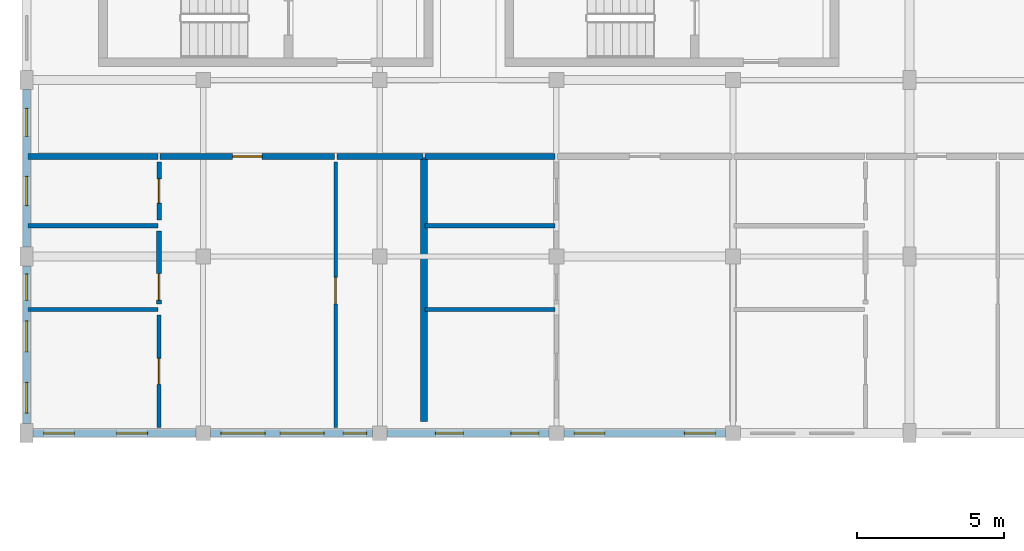
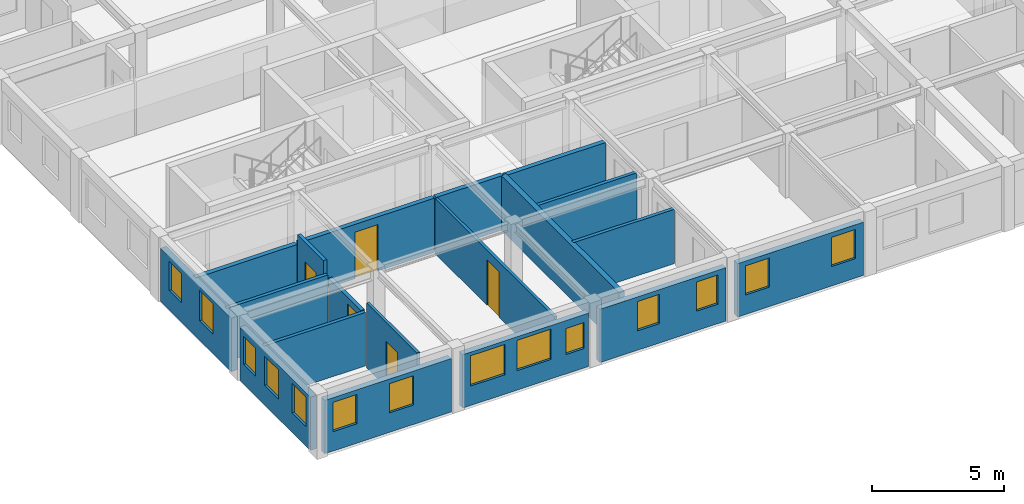
# One storey, part 3 of 17: 19 walls, 14 windows, 5 doors, 19 openings.
"""IFC4 building model written with IfcOpenShell, lengths in metres."""

import ifcopenshell
import ifcopenshell.guid

model = None  # the IFC model being written
_history = None  # IfcOwnerHistory: only IFC2X3 demands one
_inside = {}  # id of a spatial element -> (the spatial element, [elements in it])
_under = {}  # id of a project, library or spatial element -> (it, [spatial elements below it])
_declared = {}  # id of a project -> (the project, [libraries it declares])
_typed = {}  # id of a type object -> (the type object, [elements of that type])
_made_of = {}  # id of a material, layer set ... -> (it, [elements and type objects made of it])


def new_model(schema):
    """Start an empty IFC model of exactly this schema.

    Asked for "IFC4X3", IfcOpenShell would pick the latest addendum, in which some entities
    have other attributes; the version numbers below select the first issue.
    IFC2X3 requires an IfcOwnerHistory on every rooted entity: one is made here for all.
    """
    global model, _history
    if schema == "IFC4X3":
        model = ifcopenshell.file(schema_version=(4, 3, 0, 0))
    else:
        model = ifcopenshell.file(schema=schema)
    _inside.clear()
    _under.clear()
    _declared.clear()
    _typed.clear()
    _made_of.clear()
    _history = None
    if model.schema == "IFC2X3":
        org = make("IfcOrganization", Name="unknown")
        user = make(
            "IfcPersonAndOrganization",
            ThePerson=make("IfcPerson", FamilyName="unknown"),
            TheOrganization=org,
        )
        app = make(
            "IfcApplication",
            ApplicationDeveloper=org,
            Version="unknown",
            ApplicationFullName="unknown",
            ApplicationIdentifier="unknown",
        )
        _history = make(
            "IfcOwnerHistory",
            OwningUser=user,
            OwningApplication=app,
            ChangeAction="ADDED",
            CreationDate=0,
        )
    return model


def make(cls, **values):
    """One entity of the class cls with the attributes given. An attribute that is None is left unset."""
    return model.create_entity(
        cls, **{name: value for name, value in values.items() if value is not None}
    )


def rooted(cls, **values):
    """An entity with a GlobalId (a new one), such as an element, a storey or a relation."""
    return make(cls, GlobalId=ifcopenshell.guid.new(), OwnerHistory=_history, **values)


def si_unit(unit_type, name, prefix=None):
    """IfcSIUnit, for example si_unit("LENGTHUNIT", "METRE", prefix="MILLI")."""
    return make("IfcSIUnit", UnitType=unit_type, Prefix=prefix, Name=name)


def assignment(units):
    """IfcUnitAssignment: the units of a project."""
    return None if units is None else make("IfcUnitAssignment", Units=units)


def point(xyz):
    """IfcCartesianPoint."""
    return None if xyz is None else make("IfcCartesianPoint", Coordinates=xyz)


def direction(xyz):
    """IfcDirection."""
    return None if xyz is None else make("IfcDirection", DirectionRatios=xyz)


def frame(location, z_axis=None, x_axis=None):
    """IfcAxis2Placement3D, a coordinate frame: its origin and axes. An axis left out is left unset."""
    return make(
        "IfcAxis2Placement3D",
        Location=point(location),
        Axis=direction(z_axis),
        RefDirection=direction(x_axis),
    )


def frame_2d(location, x_axis=None):
    """IfcAxis2Placement2D, a coordinate frame in the plane: its origin and x axis."""
    return make(
        "IfcAxis2Placement2D", Location=point(location), RefDirection=direction(x_axis)
    )


def origin():
    """The frame at (0, 0, 0) with its axes left unset."""
    return frame((0.0, 0.0, 0.0))


def place(relative_to, where):
    """IfcLocalPlacement: puts the frame where relative to a parent placement (None: the world)."""
    return make(
        "IfcLocalPlacement", PlacementRelTo=relative_to, RelativePlacement=where
    )


def context(
    kind, dimensions, precision=None, world=None, true_north=None, identifier=None
):
    """IfcGeometricRepresentationContext, for example the 3D "Model" context."""
    return make(
        "IfcGeometricRepresentationContext",
        ContextIdentifier=identifier,
        ContextType=kind,
        CoordinateSpaceDimension=dimensions,
        Precision=precision,
        WorldCoordinateSystem=world,
        TrueNorth=true_north,
    )


def subcontext(parent, identifier, kind, view, scale=None):
    """IfcGeometricRepresentationSubContext, for example "Body" below "Model"."""
    return make(
        "IfcGeometricRepresentationSubContext",
        ContextIdentifier=identifier,
        ContextType=kind,
        ParentContext=parent,
        TargetScale=scale,
        TargetView=view,
    )


def project(units=None, contexts=None):
    """IfcProject with its units and contexts."""
    return rooted(
        "IfcProject",
        Name="project",
        RepresentationContexts=contexts,
        UnitsInContext=assignment(units),
    )


def spatial(cls, under=None, at=None, **own):
    """A site, building, storey or space (cls), placed at a placement, below another one or the project."""
    s = rooted(cls, ObjectPlacement=at, **own)
    if under is not None:
        _under.setdefault(under.id(), (under, []))[1].append(s)
    return s


def profile(cls, at=None, kind="AREA", **sizes):
    """A parametric profile (cls). Its sizes go by their IFC names, for example OverallWidth=200.0."""
    return make(cls, ProfileType=kind, Position=at, **sizes)


def rectangle(**sizes):
    """IfcRectangleProfileDef."""
    return profile("IfcRectangleProfileDef", **sizes)


def extrude(swept, where, along, depth):
    """IfcExtrudedAreaSolid: the profile swept, set in the frame where, extruded along a direction by depth."""
    return make(
        "IfcExtrudedAreaSolid",
        SweptArea=swept,
        Position=where,
        ExtrudedDirection=direction(along),
        Depth=depth,
    )


def shape(context_of_items, identifier, shape_type, items):
    """IfcShapeRepresentation: the items that make up one representation, for example the "Body"."""
    return make(
        "IfcShapeRepresentation",
        ContextOfItems=context_of_items,
        RepresentationIdentifier=identifier,
        RepresentationType=shape_type,
        Items=items,
    )


def material(Name=None, Category=None):
    """IfcMaterial."""
    return make("IfcMaterial", Name=Name, Category=Category)


def layer(
    of_material, thickness, ventilated=None, Name=None, Category=None, Priority=None
):
    """IfcMaterialLayer: one layer of a wall or slab, of a material (None: an air gap)."""
    return make(
        "IfcMaterialLayer",
        Material=of_material,
        LayerThickness=thickness,
        IsVentilated=ventilated,
        Name=Name,
        Category=Category,
        Priority=Priority,
    )


def layer_set(layers, Name=None):
    """IfcMaterialLayerSet."""
    return make("IfcMaterialLayerSet", MaterialLayers=layers, LayerSetName=Name)


def made_of(thing, what):
    """Note that an element or type object is made of a material, layer set ...; save() writes the relation."""
    if what is not None:
        _made_of.setdefault(what.id(), (what, []))[1].append(thing)
    return thing


def type_object(cls, material=None, **own):
    """A type object (cls), such as IfcWallType, which elements share."""
    return made_of(rooted(cls, **own), material)


def element(
    cls,
    number,
    at=None,
    inside=None,
    cuts=None,
    type_object=None,
    material=None,
    context=None,
    identifier="Body",
    shape_type=None,
    held_by="IfcProductDefinitionShape",
    body=None,
    shapes=None,
    **own,
):
    """One element of the class cls, such as IfcWall. Its Tag is "e" and its number.

    at: its placement. inside: the storey or other place that contains it. cuts: it is an
    opening in that element (IfcRelVoidsElement). A single representation is given by context,
    identifier, shape_type and body (its items); several are given by shapes. held_by: the class
    of the entity that holds the representations. save() writes the other relations.
    """
    e = rooted(cls, Tag="e%d" % number, ObjectPlacement=at, **own)
    if body is not None:
        shapes = [shape(context, identifier, shape_type, body)]
    if shapes is not None:
        e.Representation = make(held_by, Representations=shapes)
    if inside is not None:
        _inside.setdefault(inside.id(), (inside, []))[1].append(e)
    if cuts is not None:
        rooted(
            "IfcRelVoidsElement", RelatingBuildingElement=cuts, RelatedOpeningElement=e
        )
    if type_object is not None:
        _typed.setdefault(type_object.id(), (type_object, []))[1].append(e)
    return made_of(e, material)


def fill(opening, filler):
    """IfcRelFillsElement: the door or window that sits in an opening."""
    return rooted(
        "IfcRelFillsElement",
        RelatingOpeningElement=opening,
        RelatedBuildingElement=filler,
    )


def aggregate(whole, parts):
    """IfcRelAggregates: a whole, such as a stair, and the parts it consists of."""
    return rooted("IfcRelAggregates", RelatingObject=whole, RelatedObjects=parts)


def save(model, path):
    """Write the relations noted so far, then the file.

    IfcRelAggregates (storeys below a building ...), IfcRelContainedInSpatialStructure (elements
    in a storey), IfcRelDefinesByType, IfcRelAssociatesMaterial and IfcRelDeclares: one each for
    every whole, place, type object, material and project.
    """
    for whole, parts in _under.values():
        aggregate(whole, parts)
    for where, things in _inside.values():
        rooted(
            "IfcRelContainedInSpatialStructure",
            RelatedElements=things,
            RelatingStructure=where,
        )
    for kind, things in _typed.values():
        rooted("IfcRelDefinesByType", RelatedObjects=things, RelatingType=kind)
    for what, things in _made_of.values():
        rooted("IfcRelAssociatesMaterial", RelatedObjects=things, RelatingMaterial=what)
    for by, libraries in _declared.values():
        rooted("IfcRelDeclares", RelatingContext=by, RelatedDefinitions=libraries)
    model.write(path)


model = new_model("IFC4")

# Units and contexts
model_context = context("Model", 3, precision=1e-05, world=origin(), true_north=direction((0.0, 1.0)))
body_context = subcontext(model_context, "Body", "Model", "MODEL_VIEW")
ifc_project = project(units=[si_unit("LENGTHUNIT", "METRE"), si_unit("AREAUNIT", "SQUARE_METRE"), si_unit("VOLUMEUNIT", "CUBIC_METRE"), si_unit("PLANEANGLEUNIT", "RADIAN"), si_unit("MASSUNIT", "GRAM", prefix="KILO"), si_unit("POWERUNIT", "WATT"), si_unit("THERMODYNAMICTEMPERATUREUNIT", "KELVIN")], contexts=[model_context])

# Site, building, storey
site_placement = place(None, origin())
site = spatial("IfcSite", under=ifc_project, at=site_placement, CompositionType="ELEMENT")
building_placement = place(site_placement, origin())
building = spatial("IfcBuilding", under=site, at=building_placement, Name="Ruvembo Vaulted Housing Court", CompositionType="ELEMENT")
storey_placement = place(building_placement, frame((0.0, 0.0, 30.10009765625)))
storey = spatial("IfcBuildingStorey", under=building, at=storey_placement, Name="L09", CompositionType="ELEMENT", Elevation=30.10009765625)

# Wall
ifc_material_1 = material(Name="Concrete Blockwork 200", Category="masonry")
ifc_layer_1 = layer(ifc_material_1, 0.199951171875, Name="Concrete Blockwork 200")
ifc_layer_set_1 = layer_set([ifc_layer_1], Name="Concrete Blockwork 200")
wall_type_1 = type_object("IfcWallType", Name="WL-CORR-200", PredefinedType="SOLIDWALL", material=ifc_layer_set_1)
wall_1_placement = place(storey_placement, frame((0.0400390625, 15.39990234375, 0.0), z_axis=(0.0, 0.0, 1.0), x_axis=(1.0, 0.0, 0.0)))
element("IfcWall", 1, at=wall_1_placement, inside=storey, type_object=wall_type_1, Name="L09 Flat A-L09-S1 Corridor Wall WL-INT-L09-02133", PredefinedType="SOLIDWALL", context=body_context, shape_type="SweptSolid", body=[
    extrude(rectangle(XDim=4.419921875, YDim=0.199951171875, at=frame_2d((2.2099609375, 0.0))), origin(), (0.0, 0.0, 1.0), 2.466796875),
])

# Wall, opening, door
wall_2_placement = place(storey_placement, frame((4.5400390625, 15.39990234375, 0.0), z_axis=(0.0, 0.0, 1.0), x_axis=(1.0, 0.0, 0.0)))
wall_2 = element("IfcWall", 2, at=wall_2_placement, inside=storey, type_object=wall_type_1, Name="L09 Flat A-L09-S1 Entrance WL-INT-L09-02134", PredefinedType="SOLIDWALL", context=body_context, shape_type="SweptSolid", body=[
    extrude(rectangle(XDim=5.919921875, YDim=0.199951171875, at=frame_2d((2.9599609375, 0.0))), origin(), (0.0, 0.0, 1.0), 2.5078125),
])
opening_1_placement = place(wall_2_placement, frame((2.4599609375, 0.0, 0.0)))
opening_1 = element("IfcOpeningElement", 3, at=opening_1_placement, cuts=wall_2, Name="Opening FD1", PredefinedType="OPENING", context=body_context, shape_type="SweptSolid", body=[
    extrude(rectangle(XDim=1.0, YDim=2.14990234375, at=frame_2d((0.5, 1.074951171875))), frame((0.0, 0.10986328125, 0.0), z_axis=(0.0, -1.0, 0.0), x_axis=(1.0, 0.0, 0.0)), (0.0, 0.0, 1.0), 0.219970703125),
])
ifc_material_2 = material(Name="FSC Hardwood and Engineered Timber", Category="wood")
door_type_1 = type_object("IfcDoorType", Name="DR-FLAT-1000x2150", OperationType="NOTDEFINED", PredefinedType="DOOR", material=ifc_material_2)
door_1_placement = place(opening_1_placement, origin())
door_1 = element("IfcDoor", 4, at=door_1_placement, inside=storey, type_object=door_type_1, Name="L09 Flat A-L09-S1 Entrance Door DR-INT-L09-01188", OperationType="SINGLE_SWING_RIGHT", OverallHeight=2.14990234375, OverallWidth=1.0, PredefinedType="DOOR", context=body_context, shape_type="SweptSolid", body=[
    extrude(rectangle(XDim=1.0, YDim=2.14990234375, at=frame_2d((0.5, 1.074951171875))), frame((0.0, 0.02490234375, 0.0), z_axis=(0.0, -1.0, 0.0), x_axis=(1.0, 0.0, 0.0)), (0.0, 0.0, 1.0), 0.050048828125),
])
fill(opening_1, door_1)

# Walls
wall_3_placement = place(storey_placement, frame((10.5400390625, 15.39990234375, 0.0), z_axis=(0.0, 0.0, 1.0), x_axis=(1.0, 0.0, 0.0)))
element("IfcWall", 5, at=wall_3_placement, inside=storey, type_object=wall_type_1, Name="L09 Flat A-L09-S1 Corridor Wall 2 WL-INT-L09-02140", PredefinedType="SOLIDWALL", context=body_context, shape_type="SweptSolid", body=[
    extrude(rectangle(XDim=2.919921875, YDim=0.199951171875, at=frame_2d((1.4599609375, 0.0))), origin(), (0.0, 0.0, 1.0), 2.5078125),
])
wall_4_placement = place(storey_placement, frame((13.5400390625, 15.39990234375, 0.0), z_axis=(0.0, 0.0, 1.0), x_axis=(1.0, 0.0, 0.0)))
element("IfcWall", 6, at=wall_4_placement, inside=storey, type_object=wall_type_1, Name="L09 Flat A-L09-S2 Corridor Wall WL-INT-L09-02143", PredefinedType="SOLIDWALL", context=body_context, shape_type="SweptSolid", body=[
    extrude(rectangle(XDim=4.419921875, YDim=0.199951171875, at=frame_2d((2.2099609375, 0.0))), origin(), (0.0, 0.0, 1.0), 2.4580078125),
])
ifc_material_3 = material(Name="Acoustic Masonry Demising 230", Category="masonry")
ifc_layer_2 = layer(ifc_material_3, 0.22998046875, Name="Acoustic Masonry Demising 230")
ifc_layer_set_2 = layer_set([ifc_layer_2], Name="Acoustic Masonry Demising 230")
wall_type_2 = type_object("IfcWallType", Name="WL-DEM-230", PredefinedType="SOLIDWALL", material=ifc_layer_set_2)
wall_5_placement = place(storey_placement, frame((13.5, 6.389892578125, 0.0), z_axis=(0.0, 0.0, 1.0), x_axis=(0.0, 1.0, 0.0)))
element("IfcWall", 7, at=wall_5_placement, inside=storey, type_object=wall_type_2, Name="L09 Demising A-L09-S1 WL-INT-L09-02132", PredefinedType="SOLIDWALL", context=body_context, shape_type="SweptSolid", body=[
    extrude(rectangle(XDim=8.97021484375, YDim=0.22998046875, at=frame_2d((4.485107421875, 0.0))), origin(), (0.0, 0.0, 1.0), 2.5078125),
])

# Wall, openings, windows
ifc_material_4 = material(Name="Rendered Masonry 260", Category="masonry")
ifc_layer_3 = layer(ifc_material_4, 0.260009765625, Name="Rendered Masonry 260")
ifc_layer_set_3 = layer_set([ifc_layer_3], Name="Rendered Masonry 260")
wall_type_3 = type_object("IfcWallType", Name="WL-EXT-260", PredefinedType="STANDARD", material=ifc_layer_set_3)
wall_6_placement = place(storey_placement, frame((0.22509765625, 6.0, 0.0), z_axis=(0.0, 0.0, 1.0), x_axis=(1.0, 0.0, 0.0)))
wall_6 = element("IfcWall", 8, at=wall_6_placement, inside=storey, type_object=wall_type_3, Name="Block A L09 Exterior Wall STREET #1", PredefinedType="STANDARD", context=body_context, shape_type="SweptSolid", body=[
    extrude(rectangle(XDim=5.52490234375, YDim=0.260009765625, at=frame_2d((2.762451171875, 0.0))), origin(), (0.0, 0.0, 1.0), 2.466796875),
])
opening_2_placement = place(wall_6_placement, frame((0.35009765625, 0.0, 0.89990234375)))
opening_2 = element("IfcOpeningElement", 9, at=opening_2_placement, cuts=wall_6, Name="Opening W09", PredefinedType="OPENING", context=body_context, shape_type="SweptSolid", body=[
    extrude(rectangle(XDim=1.050048828125, YDim=1.35009765625, at=frame_2d((0.52490234375, 0.675048828125))), frame((0.0, 0.139892578125, 0.0), z_axis=(0.0, -1.0, 0.0), x_axis=(1.0, 0.0, 0.0)), (0.0, 0.0, 1.0), 0.280029296875),
])
opening_3_placement = place(wall_6_placement, frame((2.8349609375, 0.0, 0.89990234375)))
opening_3 = element("IfcOpeningElement", 10, at=opening_3_placement, cuts=wall_6, Name="Opening W09", PredefinedType="OPENING", context=body_context, shape_type="SweptSolid", body=[
    extrude(rectangle(XDim=1.050048828125, YDim=1.35009765625, at=frame_2d((0.52490234375, 0.675048828125))), frame((0.0, 0.139892578125, 0.0), z_axis=(0.0, -1.0, 0.0), x_axis=(1.0, 0.0, 0.0)), (0.0, 0.0, 1.0), 0.280029296875),
])
ifc_material_5 = material(Name="Double Solar-Control Glazing in Aluminium Frame", Category="aluminium")
window_type_1 = type_object("IfcWindowType", Name="WIN-1050x1350", PartitioningType="SINGLE_PANEL", PredefinedType="WINDOW", material=ifc_material_5)
window_1_placement = place(opening_2_placement, origin())
window_1 = element("IfcWindow", 11, at=window_1_placement, inside=storey, type_object=window_type_1, Name="Block A L09 Window #387", OverallHeight=1.35009765625, OverallWidth=1.050048828125, PartitioningType="SINGLE_PANEL", PredefinedType="WINDOW", context=body_context, shape_type="SweptSolid", body=[
    extrude(rectangle(XDim=1.050048828125, YDim=1.35009765625, at=frame_2d((0.52490234375, 0.675048828125))), frame((0.0, 0.030029296875, 0.0), z_axis=(0.0, -1.0, 0.0), x_axis=(1.0, 0.0, 0.0)), (0.0, 0.0, 1.0), 0.06005859375),
])
fill(opening_2, window_1)
window_2_placement = place(opening_3_placement, origin())
window_2 = element("IfcWindow", 12, at=window_2_placement, inside=storey, type_object=window_type_1, Name="Block A L09 Window #388", OverallHeight=1.35009765625, OverallWidth=1.050048828125, PartitioningType="SINGLE_PANEL", PredefinedType="WINDOW", context=body_context, shape_type="SweptSolid", body=[
    extrude(rectangle(XDim=1.050048828125, YDim=1.35009765625, at=frame_2d((0.52490234375, 0.675048828125))), frame((0.0, 0.030029296875, 0.0), z_axis=(0.0, -1.0, 0.0), x_axis=(1.0, 0.0, 0.0)), (0.0, 0.0, 1.0), 0.06005859375),
])
fill(opening_3, window_2)

wall_7_placement = place(storey_placement, frame((6.25, 6.0, 0.0), z_axis=(0.0, 0.0, 1.0), x_axis=(1.0, 0.0, 0.0)))
wall_7 = element("IfcWall", 13, at=wall_7_placement, inside=storey, type_object=wall_type_3, Name="Block A L09 Exterior Wall STREET #2", PredefinedType="STANDARD", context=body_context, shape_type="SweptSolid", body=[
    extrude(rectangle(XDim=5.5, YDim=0.260009765625, at=frame_2d((2.75, 0.0))), origin(), (0.0, 0.0, 1.0), 2.466796875),
])
opening_4_placement = place(wall_7_placement, frame((0.35009765625, 0.0, 0.89990234375)))
opening_4 = element("IfcOpeningElement", 14, at=opening_4_placement, cuts=wall_7, Name="Opening W18", PredefinedType="OPENING", context=body_context, shape_type="SweptSolid", body=[
    extrude(rectangle(XDim=1.5, YDim=1.39990234375, at=frame_2d((0.75, 0.699951171875))), frame((0.0, 0.139892578125, 0.0), z_axis=(0.0, -1.0, 0.0), x_axis=(1.0, 0.0, 0.0)), (0.0, 0.0, 1.0), 0.280029296875),
])
opening_5_placement = place(wall_7_placement, frame((2.360107421875, 0.0, 0.89990234375)))
opening_5 = element("IfcOpeningElement", 15, at=opening_5_placement, cuts=wall_7, Name="Opening W18", PredefinedType="OPENING", context=body_context, shape_type="SweptSolid", body=[
    extrude(rectangle(XDim=1.5, YDim=1.39990234375, at=frame_2d((0.75, 0.699951171875))), frame((0.0, 0.139892578125, 0.0), z_axis=(0.0, -1.0, 0.0), x_axis=(1.0, 0.0, 0.0)), (0.0, 0.0, 1.0), 0.280029296875),
])
opening_6_placement = place(wall_7_placement, frame((4.506103515625, 0.0, 0.89990234375)))
opening_6 = element("IfcOpeningElement", 16, at=opening_6_placement, cuts=wall_7, Name="Opening W02", PredefinedType="OPENING", context=body_context, shape_type="SweptSolid", body=[
    extrude(rectangle(XDim=0.800048828125, YDim=1.199951171875, at=frame_2d((0.39990234375, 0.60009765625))), frame((0.0, 0.139892578125, 0.0), z_axis=(0.0, -1.0, 0.0), x_axis=(1.0, 0.0, 0.0)), (0.0, 0.0, 1.0), 0.280029296875),
])
window_type_2 = type_object("IfcWindowType", Name="WIN-0800x1200", PartitioningType="SINGLE_PANEL", PredefinedType="WINDOW", material=ifc_material_5)
window_3_placement = place(opening_6_placement, origin())
window_3 = element("IfcWindow", 17, at=window_3_placement, inside=storey, type_object=window_type_2, Name="Block A L09 Window #2081", OverallHeight=1.199951171875, OverallWidth=0.800048828125, PartitioningType="SINGLE_PANEL", PredefinedType="WINDOW", context=body_context, shape_type="SweptSolid", body=[
    extrude(rectangle(XDim=0.800048828125, YDim=1.199951171875, at=frame_2d((0.39990234375, 0.60009765625))), frame((0.0, 0.030029296875, 0.0), z_axis=(0.0, -1.0, 0.0), x_axis=(1.0, 0.0, 0.0)), (0.0, 0.0, 1.0), 0.06005859375),
])
fill(opening_6, window_3)
window_type_3 = type_object("IfcWindowType", Name="WIN-1500x1400", PartitioningType="SINGLE_PANEL", PredefinedType="WINDOW", material=ifc_material_5)
window_4_placement = place(opening_4_placement, origin())
window_4 = element("IfcWindow", 18, at=window_4_placement, inside=storey, type_object=window_type_3, Name="Block A L09 Window #389", OverallHeight=1.39990234375, OverallWidth=1.5, PartitioningType="SINGLE_PANEL", PredefinedType="WINDOW", context=body_context, shape_type="SweptSolid", body=[
    extrude(rectangle(XDim=1.5, YDim=1.39990234375, at=frame_2d((0.75, 0.699951171875))), frame((0.0, 0.030029296875, 0.0), z_axis=(0.0, -1.0, 0.0), x_axis=(1.0, 0.0, 0.0)), (0.0, 0.0, 1.0), 0.06005859375),
])
fill(opening_4, window_4)
window_5_placement = place(opening_5_placement, origin())
window_5 = element("IfcWindow", 19, at=window_5_placement, inside=storey, type_object=window_type_3, Name="Block A L09 Window #390", OverallHeight=1.39990234375, OverallWidth=1.5, PartitioningType="SINGLE_PANEL", PredefinedType="WINDOW", context=body_context, shape_type="SweptSolid", body=[
    extrude(rectangle(XDim=1.5, YDim=1.39990234375, at=frame_2d((0.75, 0.699951171875))), frame((0.0, 0.030029296875, 0.0), z_axis=(0.0, -1.0, 0.0), x_axis=(1.0, 0.0, 0.0)), (0.0, 0.0, 1.0), 0.06005859375),
])
fill(opening_5, window_5)

wall_8_placement = place(storey_placement, frame((12.25, 6.0, 0.0), z_axis=(0.0, 0.0, 1.0), x_axis=(1.0, 0.0, 0.0)))
wall_8 = element("IfcWall", 20, at=wall_8_placement, inside=storey, type_object=wall_type_3, Name="Block A L09 Exterior Wall STREET #3", PredefinedType="STANDARD", context=body_context, shape_type="SweptSolid", body=[
    extrude(rectangle(XDim=5.5, YDim=0.260009765625, at=frame_2d((2.75, 0.0))), origin(), (0.0, 0.0, 1.0), 2.466796875),
])
opening_7_placement = place(wall_8_placement, frame((1.639892578125, 0.0, 0.89990234375)))
opening_7 = element("IfcOpeningElement", 21, at=opening_7_placement, cuts=wall_8, Name="Opening W07", PredefinedType="OPENING", context=body_context, shape_type="SweptSolid", body=[
    extrude(rectangle(XDim=0.949951171875, YDim=1.35009765625, at=frame_2d((0.47509765625, 0.675048828125))), frame((0.0, 0.139892578125, 0.0), z_axis=(0.0, -1.0, 0.0), x_axis=(1.0, 0.0, 0.0)), (0.0, 0.0, 1.0), 0.280029296875),
])
opening_8_placement = place(wall_8_placement, frame((4.199951171875, 0.0, 0.89990234375)))
opening_8 = element("IfcOpeningElement", 22, at=opening_8_placement, cuts=wall_8, Name="Opening W07", PredefinedType="OPENING", context=body_context, shape_type="SweptSolid", body=[
    extrude(rectangle(XDim=0.949951171875, YDim=1.35009765625, at=frame_2d((0.47509765625, 0.675048828125))), frame((0.0, 0.139892578125, 0.0), z_axis=(0.0, -1.0, 0.0), x_axis=(1.0, 0.0, 0.0)), (0.0, 0.0, 1.0), 0.280029296875),
])
window_type_4 = type_object("IfcWindowType", Name="WIN-0950x1350", PartitioningType="SINGLE_PANEL", PredefinedType="WINDOW", material=ifc_material_5)
window_6_placement = place(opening_7_placement, origin())
window_6 = element("IfcWindow", 23, at=window_6_placement, inside=storey, type_object=window_type_4, Name="Block A L09 Window #391", OverallHeight=1.35009765625, OverallWidth=0.949951171875, PartitioningType="SINGLE_PANEL", PredefinedType="WINDOW", context=body_context, shape_type="SweptSolid", body=[
    extrude(rectangle(XDim=0.949951171875, YDim=1.35009765625, at=frame_2d((0.47509765625, 0.675048828125))), frame((0.0, 0.030029296875, 0.0), z_axis=(0.0, -1.0, 0.0), x_axis=(1.0, 0.0, 0.0)), (0.0, 0.0, 1.0), 0.06005859375),
])
fill(opening_7, window_6)
window_7_placement = place(opening_8_placement, origin())
window_7 = element("IfcWindow", 24, at=window_7_placement, inside=storey, type_object=window_type_4, Name="Block A L09 Window #392", OverallHeight=1.35009765625, OverallWidth=0.949951171875, PartitioningType="SINGLE_PANEL", PredefinedType="WINDOW", context=body_context, shape_type="SweptSolid", body=[
    extrude(rectangle(XDim=0.949951171875, YDim=1.35009765625, at=frame_2d((0.47509765625, 0.675048828125))), frame((0.0, 0.030029296875, 0.0), z_axis=(0.0, -1.0, 0.0), x_axis=(1.0, 0.0, 0.0)), (0.0, 0.0, 1.0), 0.06005859375),
])
fill(opening_8, window_7)

wall_9_placement = place(storey_placement, frame((18.25, 6.0, 0.0), z_axis=(0.0, 0.0, 1.0), x_axis=(1.0, 0.0, 0.0)))
wall_9 = element("IfcWall", 25, at=wall_9_placement, inside=storey, type_object=wall_type_3, Name="Block A L09 Exterior Wall STREET #4", PredefinedType="STANDARD", context=body_context, shape_type="SweptSolid", body=[
    extrude(rectangle(XDim=5.5, YDim=0.260009765625, at=frame_2d((2.75, 0.0))), origin(), (0.0, 0.0, 1.0), 2.466796875),
])
opening_9_placement = place(wall_9_placement, frame((0.35009765625, 0.0, 0.89990234375)))
opening_9 = element("IfcOpeningElement", 26, at=opening_9_placement, cuts=wall_9, Name="Opening W09", PredefinedType="OPENING", context=body_context, shape_type="SweptSolid", body=[
    extrude(rectangle(XDim=1.050048828125, YDim=1.35009765625, at=frame_2d((0.52490234375, 0.675048828125))), frame((0.0, 0.139892578125, 0.0), z_axis=(0.0, -1.0, 0.0), x_axis=(1.0, 0.0, 0.0)), (0.0, 0.0, 1.0), 0.280029296875),
])
opening_10_placement = place(wall_9_placement, frame((4.10009765625, 0.0, 0.89990234375)))
opening_10 = element("IfcOpeningElement", 27, at=opening_10_placement, cuts=wall_9, Name="Opening W09", PredefinedType="OPENING", context=body_context, shape_type="SweptSolid", body=[
    extrude(rectangle(XDim=1.050048828125, YDim=1.35009765625, at=frame_2d((0.52490234375, 0.675048828125))), frame((0.0, 0.139892578125, 0.0), z_axis=(0.0, -1.0, 0.0), x_axis=(1.0, 0.0, 0.0)), (0.0, 0.0, 1.0), 0.280029296875),
])
window_8_placement = place(opening_9_placement, origin())
window_8 = element("IfcWindow", 28, at=window_8_placement, inside=storey, type_object=window_type_1, Name="Block A L09 Window #393", OverallHeight=1.35009765625, OverallWidth=1.050048828125, PartitioningType="SINGLE_PANEL", PredefinedType="WINDOW", context=body_context, shape_type="SweptSolid", body=[
    extrude(rectangle(XDim=1.050048828125, YDim=1.35009765625, at=frame_2d((0.52490234375, 0.675048828125))), frame((0.0, 0.030029296875, 0.0), z_axis=(0.0, -1.0, 0.0), x_axis=(1.0, 0.0, 0.0)), (0.0, 0.0, 1.0), 0.06005859375),
])
fill(opening_9, window_8)
window_9_placement = place(opening_10_placement, origin())
window_9 = element("IfcWindow", 29, at=window_9_placement, inside=storey, type_object=window_type_1, Name="Block A L09 Window #394", OverallHeight=1.35009765625, OverallWidth=1.050048828125, PartitioningType="SINGLE_PANEL", PredefinedType="WINDOW", context=body_context, shape_type="SweptSolid", body=[
    extrude(rectangle(XDim=1.050048828125, YDim=1.35009765625, at=frame_2d((0.52490234375, 0.675048828125))), frame((0.0, 0.030029296875, 0.0), z_axis=(0.0, -1.0, 0.0), x_axis=(1.0, 0.0, 0.0)), (0.0, 0.0, 1.0), 0.06005859375),
])
fill(opening_10, window_9)

wall_10_placement = place(storey_placement, frame((0.0, 17.675048828125, 0.0), z_axis=(0.0, 0.0, 1.0), x_axis=(0.0, -1.0, 0.0)))
wall_10 = element("IfcWall", 30, at=wall_10_placement, inside=storey, type_object=wall_type_3, Name="Block A L09 Exterior Wall WEST #4", PredefinedType="STANDARD", context=body_context, shape_type="SweptSolid", body=[
    extrude(rectangle(XDim=5.35009765625, YDim=0.260009765625, at=frame_2d((2.675048828125, 0.0))), origin(), (0.0, 0.0, 1.0), 2.466796875),
])
opening_11_placement = place(wall_10_placement, frame((0.642578125, 0.0, 0.89990234375)))
opening_11 = element("IfcOpeningElement", 31, at=opening_11_placement, cuts=wall_10, Name="Opening W07", PredefinedType="OPENING", context=body_context, shape_type="SweptSolid", body=[
    extrude(rectangle(XDim=0.949951171875, YDim=1.35009765625, at=frame_2d((0.47509765625, 0.675048828125))), frame((0.0, 0.139892578125, 0.0), z_axis=(0.0, -1.0, 0.0), x_axis=(1.0, 0.0, 0.0)), (0.0, 0.0, 1.0), 0.280029296875),
])
opening_12_placement = place(wall_10_placement, frame((2.949951171875, 0.0, 0.89990234375)))
opening_12 = element("IfcOpeningElement", 32, at=opening_12_placement, cuts=wall_10, Name="Opening W08", PredefinedType="OPENING", context=body_context, shape_type="SweptSolid", body=[
    extrude(rectangle(XDim=1.0, YDim=1.39990234375, at=frame_2d((0.5, 0.699951171875))), frame((0.0, 0.139892578125, 0.0), z_axis=(0.0, -1.0, 0.0), x_axis=(1.0, 0.0, 0.0)), (0.0, 0.0, 1.0), 0.280029296875),
])
window_10_placement = place(opening_11_placement, origin())
window_10 = element("IfcWindow", 33, at=window_10_placement, inside=storey, type_object=window_type_4, Name="Block A L09 Window #427", OverallHeight=1.35009765625, OverallWidth=0.949951171875, PartitioningType="SINGLE_PANEL", PredefinedType="WINDOW", context=body_context, shape_type="SweptSolid", body=[
    extrude(rectangle(XDim=0.949951171875, YDim=1.35009765625, at=frame_2d((0.47509765625, 0.675048828125))), frame((0.0, 0.030029296875, 0.0), z_axis=(0.0, -1.0, 0.0), x_axis=(1.0, 0.0, 0.0)), (0.0, 0.0, 1.0), 0.06005859375),
])
fill(opening_11, window_10)
window_type_5 = type_object("IfcWindowType", Name="WIN-1000x1400", PartitioningType="SINGLE_PANEL", PredefinedType="WINDOW", material=ifc_material_5)
window_11_placement = place(opening_12_placement, origin())
window_11 = element("IfcWindow", 34, at=window_11_placement, inside=storey, type_object=window_type_5, Name="Block A L09 Window #428", OverallHeight=1.39990234375, OverallWidth=1.0, PartitioningType="SINGLE_PANEL", PredefinedType="WINDOW", context=body_context, shape_type="SweptSolid", body=[
    extrude(rectangle(XDim=1.0, YDim=1.39990234375, at=frame_2d((0.5, 0.699951171875))), frame((0.0, 0.030029296875, 0.0), z_axis=(0.0, -1.0, 0.0), x_axis=(1.0, 0.0, 0.0)), (0.0, 0.0, 1.0), 0.06005859375),
])
fill(opening_12, window_11)

wall_11_placement = place(storey_placement, frame((0.0, 11.675048828125, 0.0), z_axis=(0.0, 0.0, 1.0), x_axis=(0.0, -1.0, 0.0)))
wall_11 = element("IfcWall", 35, at=wall_11_placement, inside=storey, type_object=wall_type_3, Name="Block A L09 Exterior Wall WEST #5", PredefinedType="STANDARD", context=body_context, shape_type="SweptSolid", body=[
    extrude(rectangle(XDim=5.35009765625, YDim=0.260009765625, at=frame_2d((2.675048828125, 0.0))), origin(), (0.0, 0.0, 1.0), 2.466796875),
])
opening_13_placement = place(wall_11_placement, frame((0.267578125, 0.0, 0.89990234375)))
opening_13 = element("IfcOpeningElement", 36, at=opening_13_placement, cuts=wall_11, Name="Opening W04", PredefinedType="OPENING", context=body_context, shape_type="SweptSolid", body=[
    extrude(rectangle(XDim=0.89990234375, YDim=1.300048828125, at=frame_2d((0.449951171875, 0.64990234375))), frame((0.0, 0.139892578125, 0.0), z_axis=(0.0, -1.0, 0.0), x_axis=(1.0, 0.0, 0.0)), (0.0, 0.0, 1.0), 0.280029296875),
])
opening_14_placement = place(wall_11_placement, frame((1.864990234375, 0.0, 0.89990234375)))
opening_14 = element("IfcOpeningElement", 37, at=opening_14_placement, cuts=wall_11, Name="Opening W09", PredefinedType="OPENING", context=body_context, shape_type="SweptSolid", body=[
    extrude(rectangle(XDim=1.050048828125, YDim=1.35009765625, at=frame_2d((0.52490234375, 0.675048828125))), frame((0.0, 0.139892578125, 0.0), z_axis=(0.0, -1.0, 0.0), x_axis=(1.0, 0.0, 0.0)), (0.0, 0.0, 1.0), 0.280029296875),
])
opening_15_placement = place(wall_11_placement, frame((3.949951171875, 0.0, 0.89990234375)))
opening_15 = element("IfcOpeningElement", 38, at=opening_15_placement, cuts=wall_11, Name="Opening W09", PredefinedType="OPENING", context=body_context, shape_type="SweptSolid", body=[
    extrude(rectangle(XDim=1.050048828125, YDim=1.35009765625, at=frame_2d((0.52490234375, 0.675048828125))), frame((0.0, 0.139892578125, 0.0), z_axis=(0.0, -1.0, 0.0), x_axis=(1.0, 0.0, 0.0)), (0.0, 0.0, 1.0), 0.280029296875),
])
window_type_6 = type_object("IfcWindowType", Name="WIN-0900x1300", PartitioningType="SINGLE_PANEL", PredefinedType="WINDOW", material=ifc_material_5)
window_12_placement = place(opening_13_placement, origin())
window_12 = element("IfcWindow", 39, at=window_12_placement, inside=storey, type_object=window_type_6, Name="Block A L09 Window #429", OverallHeight=1.300048828125, OverallWidth=0.89990234375, PartitioningType="SINGLE_PANEL", PredefinedType="WINDOW", context=body_context, shape_type="SweptSolid", body=[
    extrude(rectangle(XDim=0.89990234375, YDim=1.300048828125, at=frame_2d((0.449951171875, 0.64990234375))), frame((0.0, 0.030029296875, 0.0), z_axis=(0.0, -1.0, 0.0), x_axis=(1.0, 0.0, 0.0)), (0.0, 0.0, 1.0), 0.06005859375),
])
fill(opening_13, window_12)
window_13_placement = place(opening_14_placement, origin())
window_13 = element("IfcWindow", 40, at=window_13_placement, inside=storey, type_object=window_type_1, Name="Block A L09 Window #430", OverallHeight=1.35009765625, OverallWidth=1.050048828125, PartitioningType="SINGLE_PANEL", PredefinedType="WINDOW", context=body_context, shape_type="SweptSolid", body=[
    extrude(rectangle(XDim=1.050048828125, YDim=1.35009765625, at=frame_2d((0.52490234375, 0.675048828125))), frame((0.0, 0.030029296875, 0.0), z_axis=(0.0, -1.0, 0.0), x_axis=(1.0, 0.0, 0.0)), (0.0, 0.0, 1.0), 0.06005859375),
])
fill(opening_14, window_13)
window_14_placement = place(opening_15_placement, origin())
window_14 = element("IfcWindow", 41, at=window_14_placement, inside=storey, type_object=window_type_1, Name="Block A L09 Window #431", OverallHeight=1.35009765625, OverallWidth=1.050048828125, PartitioningType="SINGLE_PANEL", PredefinedType="WINDOW", context=body_context, shape_type="SweptSolid", body=[
    extrude(rectangle(XDim=1.050048828125, YDim=1.35009765625, at=frame_2d((0.52490234375, 0.675048828125))), frame((0.0, 0.030029296875, 0.0), z_axis=(0.0, -1.0, 0.0), x_axis=(1.0, 0.0, 0.0)), (0.0, 0.0, 1.0), 0.06005859375),
])
fill(opening_15, window_14)

# Wall, opening, door
ifc_material_6 = material(Name="Plasterboard Stud Partition 125", Category="gypsum")
ifc_layer_4 = layer(ifc_material_6, 0.125, Name="Plasterboard Stud Partition 125")
ifc_layer_set_4 = layer_set([ifc_layer_4], Name="Plasterboard Stud Partition 125")
wall_type_4 = type_object("IfcWallType", Name="WL-PART-125", PredefinedType="PARTITIONING", material=ifc_layer_set_4)
wall_12_placement = place(storey_placement, frame((4.5, 6.18994140625, 0.0), z_axis=(0.0, 0.0, 1.0), x_axis=(0.0, 1.0, 0.0)))
wall_12 = element("IfcWall", 42, at=wall_12_placement, inside=storey, type_object=wall_type_4, Name="L09 Flat A-L09-S1 Bedroom 1 WL-INT-L09-02135", PredefinedType="PARTITIONING", context=body_context, shape_type="SweptSolid", body=[
    extrude(rectangle(XDim=3.820068359375, YDim=0.125, at=frame_2d((1.91015625, 0.0))), origin(), (0.0, 0.0, 1.0), 2.98486328125),
])
opening_16_placement = place(wall_12_placement, frame((1.469970703125, 0.0, 0.0)))
opening_16 = element("IfcOpeningElement", 43, at=opening_16_placement, cuts=wall_12, Name="Opening ID3", PredefinedType="OPENING", context=body_context, shape_type="SweptSolid", body=[
    extrude(rectangle(XDim=0.8798828125, YDim=2.10009765625, at=frame_2d((0.43994140625, 1.050048828125))), frame((0.0, 0.072509765625, 0.0), z_axis=(0.0, -1.0, 0.0), x_axis=(1.0, 0.0, 0.0)), (0.0, 0.0, 1.0), 0.14501953125),
])
door_type_2 = type_object("IfcDoorType", Name="DR-ROOM-0880x2100", OperationType="NOTDEFINED", PredefinedType="DOOR", material=ifc_material_2)
door_2_placement = place(opening_16_placement, origin())
door_2 = element("IfcDoor", 44, at=door_2_placement, inside=storey, type_object=door_type_2, Name="L09 Flat A-L09-S1 Bedroom 1 Door DR-INT-L09-01189", OperationType="SINGLE_SWING_LEFT", OverallHeight=2.10009765625, OverallWidth=0.8798828125, PredefinedType="DOOR", context=body_context, shape_type="SweptSolid", body=[
    extrude(rectangle(XDim=0.8798828125, YDim=2.10009765625, at=frame_2d((0.43994140625, 1.050048828125))), frame((0.0, 0.02490234375, 0.0), z_axis=(0.0, -1.0, 0.0), x_axis=(1.0, 0.0, 0.0)), (0.0, 0.0, 1.0), 0.050048828125),
])
fill(opening_16, door_2)

wall_13_placement = place(storey_placement, frame((10.5, 6.18994140625, 0.0), z_axis=(0.0, 0.0, 1.0), x_axis=(0.0, 1.0, 0.0)))
wall_13 = element("IfcWall", 45, at=wall_13_placement, inside=storey, type_object=wall_type_4, Name="L09 Flat A-L09-S1 Bedroom 2 WL-INT-L09-02141", PredefinedType="PARTITIONING", context=body_context, shape_type="SweptSolid", body=[
    extrude(rectangle(XDim=9.02001953125, YDim=0.125, at=frame_2d((4.510009765625, 0.0))), origin(), (0.0, 0.0, 1.0), 2.5478515625),
])
opening_17_placement = place(wall_13_placement, frame((4.199951171875, 0.0, 0.0)))
opening_17 = element("IfcOpeningElement", 46, at=opening_17_placement, cuts=wall_13, Name="Opening ID1", PredefinedType="OPENING", context=body_context, shape_type="SweptSolid", body=[
    extrude(rectangle(XDim=0.89990234375, YDim=2.10009765625, at=frame_2d((0.449951171875, 1.050048828125))), frame((0.0, 0.072509765625, 0.0), z_axis=(0.0, -1.0, 0.0), x_axis=(1.0, 0.0, 0.0)), (0.0, 0.0, 1.0), 0.14501953125),
])
door_type_3 = type_object("IfcDoorType", Name="DR-ROOM-0900x2100", OperationType="NOTDEFINED", PredefinedType="DOOR", material=ifc_material_2)
door_3_placement = place(opening_17_placement, origin())
door_3 = element("IfcDoor", 47, at=door_3_placement, inside=storey, type_object=door_type_3, Name="L09 Flat A-L09-S1 Bedroom 2 Door DR-INT-L09-01192", OperationType="SINGLE_SWING_RIGHT", OverallHeight=2.10009765625, OverallWidth=0.89990234375, PredefinedType="DOOR", context=body_context, shape_type="SweptSolid", body=[
    extrude(rectangle(XDim=0.89990234375, YDim=2.10009765625, at=frame_2d((0.449951171875, 1.050048828125))), frame((0.0, 0.02490234375, 0.0), z_axis=(0.0, -1.0, 0.0), x_axis=(1.0, 0.0, 0.0)), (0.0, 0.0, 1.0), 0.050048828125),
])
fill(opening_17, door_3)

ifc_material_7 = material(Name="Moisture-Resistant Wet Partition 150", Category="gypsum")
ifc_layer_5 = layer(ifc_material_7, 0.14990234375, Name="Moisture-Resistant Wet Partition 150")
ifc_layer_set_5 = layer_set([ifc_layer_5], Name="Moisture-Resistant Wet Partition 150")
wall_type_5 = type_object("IfcWallType", Name="WL-PART-150", PredefinedType="PARTITIONING", material=ifc_layer_set_5)
wall_14_placement = place(storey_placement, frame((4.5, 13.239990234375, 0.0), z_axis=(0.0, 0.0, 1.0), x_axis=(0.0, 1.0, 0.0)))
wall_14 = element("IfcWall", 48, at=wall_14_placement, inside=storey, type_object=wall_type_5, Name="L09 Flat A-L09-S1 Bathroom WL-INT-L09-02137", PredefinedType="PARTITIONING", context=body_context, shape_type="SweptSolid", body=[
    extrude(rectangle(XDim=1.969970703125, YDim=0.14990234375, at=frame_2d((0.98486328125, 0.0))), origin(), (0.0, 0.0, 1.0), 2.98486328125),
])
opening_18_placement = place(wall_14_placement, frame((0.574951171875, 0.0, 0.0)))
opening_18 = element("IfcOpeningElement", 49, at=opening_18_placement, cuts=wall_14, Name="Opening ID4", PredefinedType="OPENING", context=body_context, shape_type="SweptSolid", body=[
    extrude(rectangle(XDim=0.820068359375, YDim=2.080078125, at=frame_2d((0.41015625, 1.0400390625))), frame((0.0, 0.0849609375, 0.0), z_axis=(0.0, -1.0, 0.0), x_axis=(1.0, 0.0, 0.0)), (0.0, 0.0, 1.0), 0.169921875),
])
door_type_4 = type_object("IfcDoorType", Name="DR-WET-0820x2080", OperationType="NOTDEFINED", PredefinedType="DOOR", material=ifc_material_2)
door_4_placement = place(opening_18_placement, origin())
door_4 = element("IfcDoor", 50, at=door_4_placement, inside=storey, type_object=door_type_4, Name="L09 Flat A-L09-S1 Bathroom Door DR-INT-L09-01191", OperationType="SINGLE_SWING_LEFT", OverallHeight=2.080078125, OverallWidth=0.820068359375, PredefinedType="DOOR", context=body_context, shape_type="SweptSolid", body=[
    extrude(rectangle(XDim=0.820068359375, YDim=2.080078125, at=frame_2d((0.41015625, 1.0400390625))), frame((0.0, 0.02490234375, 0.0), z_axis=(0.0, -1.0, 0.0), x_axis=(1.0, 0.0, 0.0)), (0.0, 0.0, 1.0), 0.050048828125),
])
fill(opening_18, door_4)

# Walls
for number, where, z_axis, x_axis, name in (
    (51, (0.0400390625, 10.199951171875, 0.0), (0.0, 0.0, 1.0), (1.0, 0.0, 0.0), "L09 Flat A-L09-S1 Wet Wall 1 WL-INT-L09-02138"),
    (52, (0.0400390625, 13.050048828125, 0.0), (0.0, 0.0, 1.0), (1.0, 0.0, 0.0), "L09 Flat A-L09-S1 Wet Wall 2 WL-INT-L09-02139"),
):
    element("IfcWall", number, at=place(storey_placement, frame(where, z_axis=z_axis, x_axis=x_axis)), inside=storey, type_object=wall_type_5, Name=name, PredefinedType="PARTITIONING", context=body_context, shape_type="SweptSolid", body=[
        extrude(rectangle(XDim=4.419921875, YDim=0.14990234375, at=frame_2d((2.2099609375, 0.0))), origin(), (0.0, 0.0, 1.0), 2.466796875),
    ])
wall_15_placement = place(storey_placement, frame((13.5400390625, 10.199951171875, 0.0), z_axis=(0.0, 0.0, 1.0), x_axis=(1.0, 0.0, 0.0)))
element("IfcWall", 53, at=wall_15_placement, inside=storey, type_object=wall_type_5, Name="L09 Flat A-L09-S2 Wet Wall 1 WL-INT-L09-02148", PredefinedType="PARTITIONING", context=body_context, shape_type="SweptSolid", body=[
    extrude(rectangle(XDim=4.419921875, YDim=0.14990234375, at=frame_2d((2.2099609375, 0.0))), origin(), (0.0, 0.0, 1.0), 2.5078125),
])
wall_16_placement = place(storey_placement, frame((13.5400390625, 13.050048828125, 0.0), z_axis=(0.0, 0.0, 1.0), x_axis=(1.0, 0.0, 0.0)))
element("IfcWall", 54, at=wall_16_placement, inside=storey, type_object=wall_type_5, Name="L09 Flat A-L09-S2 Wet Wall 2 WL-INT-L09-02149", PredefinedType="PARTITIONING", context=body_context, shape_type="SweptSolid", body=[
    extrude(rectangle(XDim=4.419921875, YDim=0.14990234375, at=frame_2d((2.2099609375, 0.0))), origin(), (0.0, 0.0, 1.0), 2.4580078125),
])

# Wall, opening, door
ifc_material_8 = material(Name="Acoustic Service Chase Wall 160", Category="gypsum")
ifc_layer_6 = layer(ifc_material_8, 0.159912109375, Name="Acoustic Service Chase Wall 160")
ifc_layer_set_6 = layer_set([ifc_layer_6], Name="Acoustic Service Chase Wall 160")
wall_type_6 = type_object("IfcWallType", Name="WL-PLUMB-160", PredefinedType="PLUMBINGWALL", material=ifc_layer_set_6)
wall_17_placement = place(storey_placement, frame((4.5, 10.389892578125, 0.0), z_axis=(0.0, 0.0, 1.0), x_axis=(0.0, 1.0, 0.0)))
wall_17 = element("IfcWall", 55, at=wall_17_placement, inside=storey, type_object=wall_type_6, Name="L09 Flat A-L09-S1 Kitchen WL-INT-L09-02136", PredefinedType="PLUMBINGWALL", context=body_context, shape_type="SweptSolid", body=[
    extrude(rectangle(XDim=2.47021484375, YDim=0.159912109375, at=frame_2d((1.235107421875, 0.0))), origin(), (0.0, 0.0, 1.0), 2.407958984375),
])
opening_19_placement = place(wall_17_placement, frame((0.1298828125, 0.0, 0.0)))
opening_19 = element("IfcOpeningElement", 56, at=opening_19_placement, cuts=wall_17, Name="Opening ID1", PredefinedType="OPENING", context=body_context, shape_type="SweptSolid", body=[
    extrude(rectangle(XDim=0.89990234375, YDim=2.10009765625, at=frame_2d((0.449951171875, 1.050048828125))), frame((0.0, 0.08984375, 0.0), z_axis=(0.0, -1.0, 0.0), x_axis=(1.0, 0.0, 0.0)), (0.0, 0.0, 1.0), 0.179931640625),
])
door_5_placement = place(opening_19_placement, origin())
door_5 = element("IfcDoor", 57, at=door_5_placement, inside=storey, type_object=door_type_3, Name="L09 Flat A-L09-S1 Kitchen Door DR-INT-L09-01190", OperationType="SINGLE_SWING_RIGHT", OverallHeight=2.10009765625, OverallWidth=0.89990234375, PredefinedType="DOOR", context=body_context, shape_type="SweptSolid", body=[
    extrude(rectangle(XDim=0.89990234375, YDim=2.10009765625, at=frame_2d((0.449951171875, 1.050048828125))), frame((0.0, 0.02490234375, 0.0), z_axis=(0.0, -1.0, 0.0), x_axis=(1.0, 0.0, 0.0)), (0.0, 0.0, 1.0), 0.050048828125),
])
fill(opening_19, door_5)

save(model, "model.ifc")
